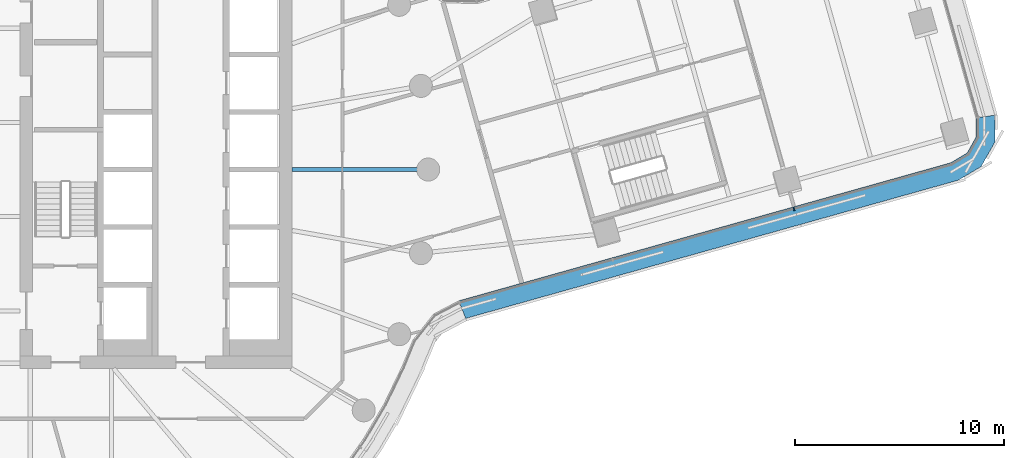
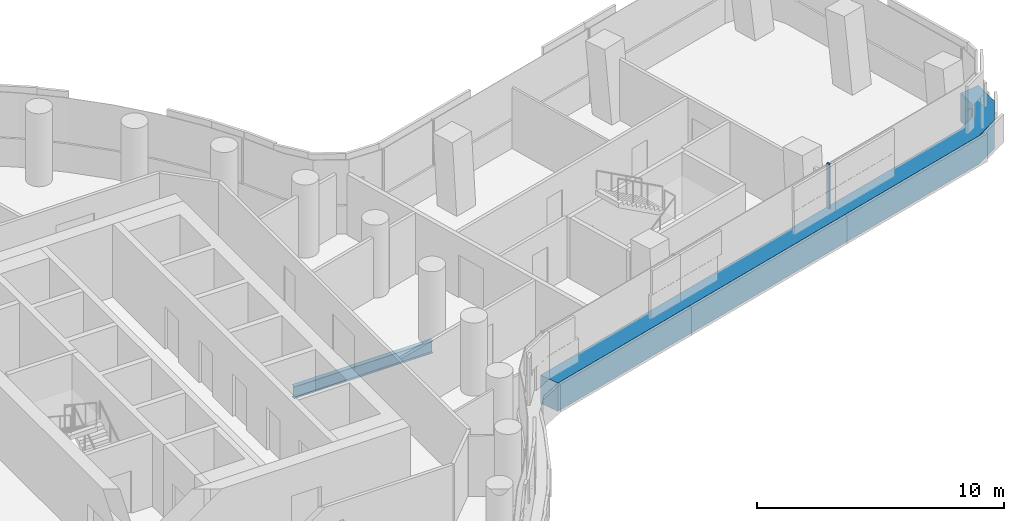
# One storey, part 10 of 30: 2 members, 1 beam, 1 element without a shape of its own.
"""IFC4 building model written with IfcOpenShell, lengths in metres."""

from ifc_helpers import new_model, si_unit, direction, frame, origin, origin_2d, place, context, subcontext, project, spatial, polyline, rectangle, i_section, outline, extrude, material, layer, layer_set, material_profile, profile_set, type_object, element, aggregate, save


model = new_model("IFC4")

# Units and contexts
model_context = context("Model", 3, precision=1e-05, world=origin(), true_north=direction((0.0, 1.0)))
body_context = subcontext(model_context, "Body", "Model", "MODEL_VIEW")
ifc_project = project(units=[si_unit("LENGTHUNIT", "METRE"), si_unit("AREAUNIT", "SQUARE_METRE"), si_unit("VOLUMEUNIT", "CUBIC_METRE"), si_unit("PLANEANGLEUNIT", "RADIAN"), si_unit("MASSUNIT", "GRAM", prefix="KILO")], contexts=[model_context])

# Site, building, storey
site_placement = place(None, origin())
site = spatial("IfcSite", under=ifc_project, at=site_placement, CompositionType="ELEMENT")
building_placement = place(site_placement, origin())
building = spatial("IfcBuilding", under=site, at=building_placement, Name="Tamarind Cross Interchange Tower", CompositionType="ELEMENT")
storey_placement = place(building_placement, frame((0.0, 0.0, 91.0)))
storey = spatial("IfcBuildingStorey", under=building, at=storey_placement, Name="L21", CompositionType="ELEMENT", Elevation=91.0)

# Beam
ifc_material_1 = material(Name="Steel Q355B", Category="steel")
ifc_material_profile_1 = material_profile(ifc_material_1, i_section(OverallWidth=0.198974609375, OverallDepth=0.595947265625, WebThickness=0.010009765625, FlangeThickness=0.014892578125, FilletRadius=0.012939453125, at=origin_2d()), Name="HN 596x199x10x15")
ifc_profile_set_1 = profile_set([ifc_material_profile_1], Name="Steel Q355B")
beam_type = type_object("IfcBeamType", Name="Composite beam HN 596x199x10x15 Q355B", PredefinedType="BEAM", material=ifc_profile_set_1)
beam_placement = place(storey_placement, frame((23.0, 0.0, -0.43798828125), z_axis=(-1.0, 0.0, 0.0), x_axis=(0.0, -1.0, 0.0)))
element("IfcBeam", 1, at=beam_placement, inside=storey, type_object=beam_type, Name="Beam HH00", PredefinedType="BEAM", context=body_context, shape_type="SweptSolid", body=[
    extrude(i_section(OverallWidth=0.198974609375, OverallDepth=0.595947265625, WebThickness=0.010009765625, FlangeThickness=0.014892578125, FilletRadius=0.012939453125, at=origin_2d()), origin(), (0.0, 0.0, 1.0), 6.5),
])

# Curtain wall, members
ifc_material_2 = material(Name="Aluminium 6063-T6", Category="aluminium")
ifc_layer = layer(ifc_material_2, 0.159912109375)
ifc_layer_set = layer_set([ifc_layer], Name="Aluminium 6063-T6")
curtain_wall_type = type_object("IfcCurtainWallType", Name="Office curtain wall, 9.0 m bays", PredefinedType="NOTDEFINED", material=ifc_layer_set)
curtain_wall_placement = place(storey_placement, origin())
curtain_wall = element("IfcCurtainWall", 2, at=curtain_wall_placement, inside=storey, type_object=curtain_wall_type, Name="CWS-L21-03", PredefinedType="NOTDEFINED")
ifc_material_3 = material(Name="Aluminium and insulated spandrel panel", Category="aluminium")
member_type_1 = type_object("IfcMemberType", Name="Floor-edge blade transom", PredefinedType="USERDEFINED", material=ifc_material_3)
member_1_placement = place(storey_placement, origin())
member_1 = element("IfcMember", 3, at=member_1_placement, type_object=member_type_1, Name="CWT-L21-03", ObjectType="TRANSOM", PredefinedType="USERDEFINED", context=body_context, shape_type="SweptSolid", body=[
    extrude(outline(polyline([(24.455078125, -6.27001953125), (47.951904296875, 0.322265625), (48.7392578125, 0.789306640625), (49.16748046875, 1.5517578125), (49.15673828125, 2.467041015625), (50.055419921875, 2.59619140625), (50.0703125, 1.321044921875), (49.40576171875, 0.13818359375), (48.30908203125, -0.51220703125), (24.78955078125, -7.11083984375), (24.455078125, -6.27001953125)])), origin(), (0.0, 0.0, 1.0), 1.39990234375),
])
ifc_material_profile_2 = material_profile(ifc_material_2, rectangle(XDim=0.06005859375, YDim=0.159912109375, at=origin_2d()), Name="Mullion CW1")
ifc_profile_set_2 = profile_set([ifc_material_profile_2], Name="Aluminium 6063-T6")
member_type_2 = type_object("IfcMemberType", Name="Mullion CW1", PredefinedType="MULLION", material=ifc_profile_set_2)
member_2_placement = place(storey_placement, frame((40.469970703125, -1.880615234375, 1.39990234375), z_axis=(0.0, 0.0, 1.0), x_axis=(0.962823871791, 0.270129953744, 0.0)))
member_2 = element("IfcMember", 4, at=member_2_placement, type_object=member_type_2, Name="CWM-L21-03-02", PredefinedType="MULLION", context=body_context, shape_type="SweptSolid", body=[
    extrude(rectangle(XDim=0.06005859375, YDim=0.159912109375, at=origin_2d()), origin(), (0.0, 0.0, 1.0), 2.210205078125),
])
aggregate(curtain_wall, [member_2, member_1])

save(model, "model.ifc")
